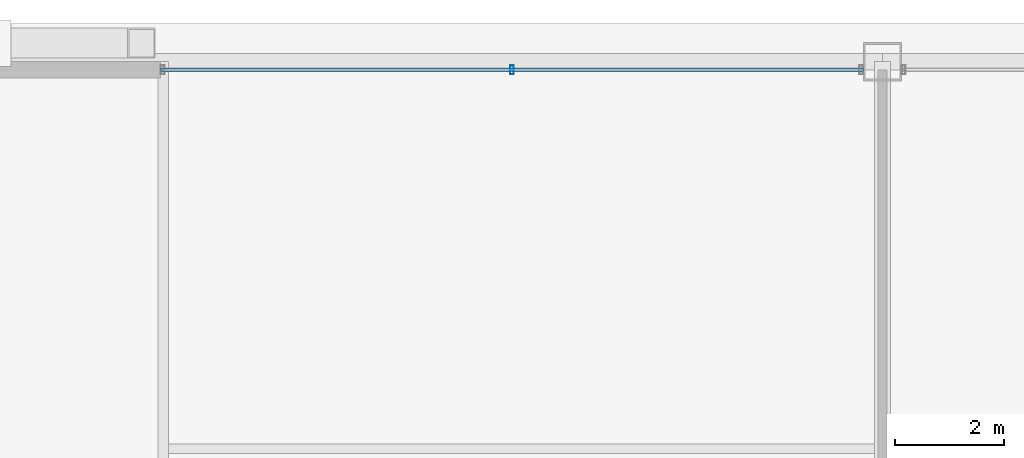
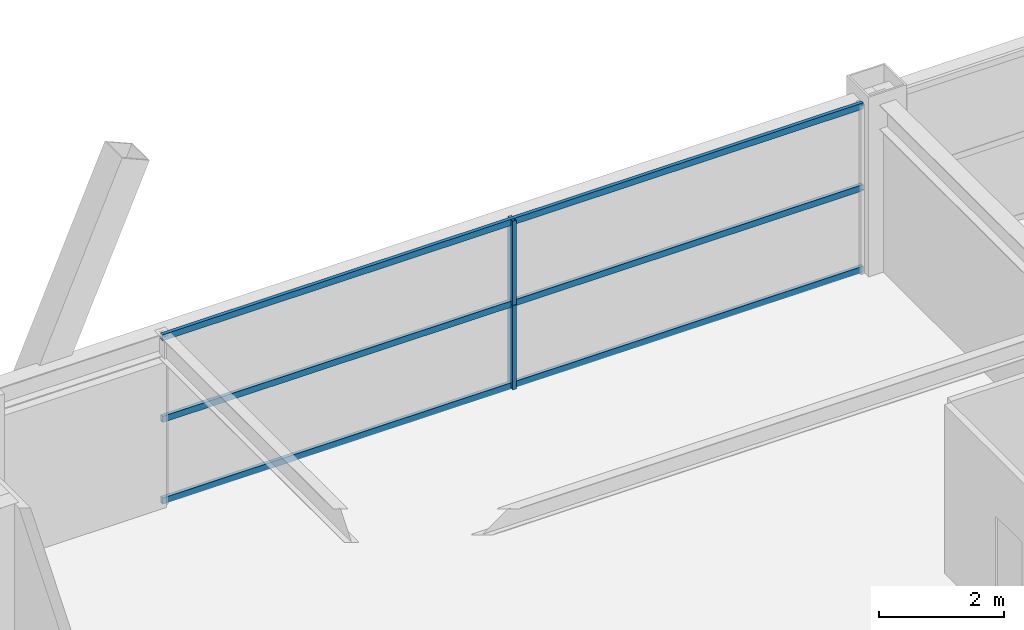
# One storey, part 25 of 35: 5 members, 1 element without a shape of its own.
"""IFC4 building model written with IfcOpenShell, lengths in metres."""

from ifc_helpers import new_model, si_unit, direction, frame, origin, origin_2d, place, context, subcontext, project, spatial, hollow_rectangle, extrude, source, transform, mapped, material, layer, layer_set, material_profile, profile_set, type_object, element, aggregate, save


model = new_model("IFC4")

# Units and contexts
model_context = context("Model", 3, precision=1e-05, world=origin(), true_north=direction((0.0, 1.0)))
body_context = subcontext(model_context, "Body", "Model", "MODEL_VIEW")
ifc_project = project(units=[si_unit("LENGTHUNIT", "METRE"), si_unit("AREAUNIT", "SQUARE_METRE"), si_unit("VOLUMEUNIT", "CUBIC_METRE"), si_unit("PLANEANGLEUNIT", "RADIAN"), si_unit("MASSUNIT", "GRAM", prefix="KILO"), si_unit("THERMODYNAMICTEMPERATUREUNIT", "KELVIN"), si_unit("POWERUNIT", "WATT")], contexts=[model_context])

# Site, building, storey
site_placement = place(None, origin())
site = spatial("IfcSite", under=ifc_project, at=site_placement, CompositionType="ELEMENT")
building_placement = place(site_placement, origin())
building = spatial("IfcBuilding", under=site, at=building_placement, Name="Yuzanri Waterfront Tower", CompositionType="ELEMENT")
storey_placement = place(building_placement, frame((0.0, 0.0, 227.60009765625)))
storey = spatial("IfcBuildingStorey", under=building, at=storey_placement, Name="L60", CompositionType="ELEMENT", Elevation=227.60009765625)

# Curtain wall, members
ifc_material_1 = material(Name="Anodized Architectural Bronze", Category="metal")
ifc_layer = layer(ifc_material_1, 0.159912109375)
ifc_layer_set = layer_set([ifc_layer], Name="Anodized Architectural Bronze")
curtain_wall_type = type_object("IfcCurtainWallType", Name="Anodized Bronze Mid-Rise Residential Acoustic Unitized Curtain Wall 7200", PredefinedType="NOTDEFINED", material=ifc_layer_set)
curtain_wall_placement = place(storey_placement, origin())
curtain_wall = element("IfcCurtainWall", 1, at=curtain_wall_placement, inside=storey, type_object=curtain_wall_type, Name="L60 Curtain Wall CW-L60-NL", PredefinedType="NOTDEFINED")
ifc_material_2 = material(Name="Anodized Architectural Bronze", Category="metal")
ifc_material_profile_1 = material_profile(ifc_material_2, hollow_rectangle(XDim=0.06494140625, YDim=0.159912109375, WallThickness=0.00341796875, at=origin_2d()), Name="CWM 65x160")
ifc_profile_set_1 = profile_set([ifc_material_profile_1], Name="Anodized Architectural Bronze")
member_type_1 = type_object("IfcMemberType", Name="Anodized Bronze Upper-Zone Curtain-Wall Mullion 65x160", PredefinedType="MULLION", material=ifc_profile_set_1)
shared_shape_1 = source(origin(), body_context, "Body", "SweptSolid", [
    extrude(hollow_rectangle(XDim=0.06494140625, YDim=0.159912109375, WallThickness=0.00341796875, at=origin_2d()), origin(), (0.0, 0.0, 1.0), 1.637939453125),
])
member_1_placement = place(storey_placement, frame((30.199951171875, 46.25, 0.0), z_axis=(0.0, 0.0, 1.0), x_axis=(1.0, 0.0, 0.0)))
member_1 = element("IfcMember", 2, at=member_1_placement, type_object=member_type_1, Name="CW-L60-NL Lower Mullion 01", PredefinedType="MULLION", context=body_context, shape_type="MappedRepresentation", body=[
    mapped(shared_shape_1, transform((0.0, 0.0, 0.0), scale=1.0)),
])
member_2_placement = place(storey_placement, frame((30.199951171875, 46.25, 1.641845703125), z_axis=(0.0, 0.0, 1.0), x_axis=(1.0, 0.0, 0.0)))
member_2 = element("IfcMember", 3, at=member_2_placement, type_object=member_type_1, Name="CW-L60-NL Upper Mullion 01", PredefinedType="MULLION", context=body_context, shape_type="MappedRepresentation", body=[
    mapped(shared_shape_1, transform((0.0, 0.0, 0.0), scale=1.0)),
])
ifc_material_3 = material(Name="Anodized Architectural Bronze", Category="metal")
ifc_material_profile_2 = material_profile(ifc_material_3, hollow_rectangle(XDim=0.06494140625, YDim=0.1201171875, WallThickness=0.00341796875, at=origin_2d()), Name="CWT 65x120")
ifc_profile_set_2 = profile_set([ifc_material_profile_2], Name="Anodized Architectural Bronze")
member_type_2 = type_object("IfcMemberType", Name="Anodized Bronze Secondary Curtain-Wall Transom 65x120", PredefinedType="USERDEFINED", material=ifc_profile_set_2)
shared_shape_2 = source(origin(), body_context, "Body", "SweptSolid", [
    extrude(hollow_rectangle(XDim=0.06494140625, YDim=0.1201171875, WallThickness=0.00341796875, at=origin_2d()), origin(), (0.0, 0.0, 1.0), 12.89990234375),
])
member_3_placement = place(storey_placement, frame((23.75, 46.25, 0.0498046875), z_axis=(1.0, 0.0, 0.0), x_axis=(0.0, 1.0, 0.0)))
member_3 = element("IfcMember", 4, at=member_3_placement, type_object=member_type_2, Name="CW-L60-NL Transom 1", ObjectType="TRANSOM", PredefinedType="USERDEFINED", context=body_context, shape_type="MappedRepresentation", body=[
    mapped(shared_shape_2, transform((0.0, 0.0, 0.0), scale=1.0)),
])
member_4_placement = place(storey_placement, frame((23.75, 46.25, 1.639892578125), z_axis=(1.0, 0.0, 0.0), x_axis=(0.0, 1.0, 0.0)))
member_4 = element("IfcMember", 5, at=member_4_placement, type_object=member_type_2, Name="CW-L60-NL Transom 2", ObjectType="TRANSOM", PredefinedType="USERDEFINED", context=body_context, shape_type="MappedRepresentation", body=[
    mapped(shared_shape_2, transform((0.0, 0.0, 0.0), scale=1.0)),
])
member_5_placement = place(storey_placement, frame((23.75, 46.25, 3.22998046875), z_axis=(1.0, 0.0, 0.0), x_axis=(0.0, 1.0, 0.0)))
member_5 = element("IfcMember", 6, at=member_5_placement, type_object=member_type_2, Name="CW-L60-NL Transom 3", ObjectType="TRANSOM", PredefinedType="USERDEFINED", context=body_context, shape_type="MappedRepresentation", body=[
    mapped(shared_shape_2, transform((0.0, 0.0, 0.0), scale=1.0)),
])
aggregate(curtain_wall, [member_1, member_2, member_3, member_4, member_5])

save(model, "model.ifc")
